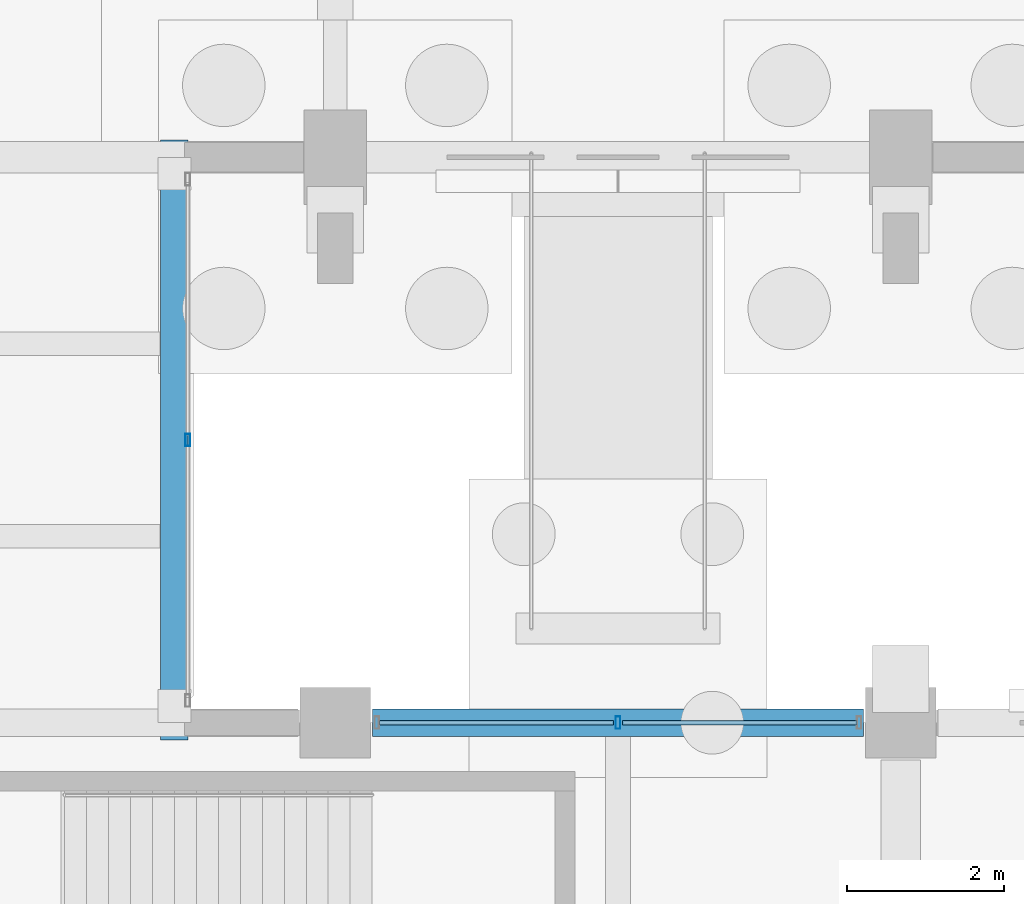
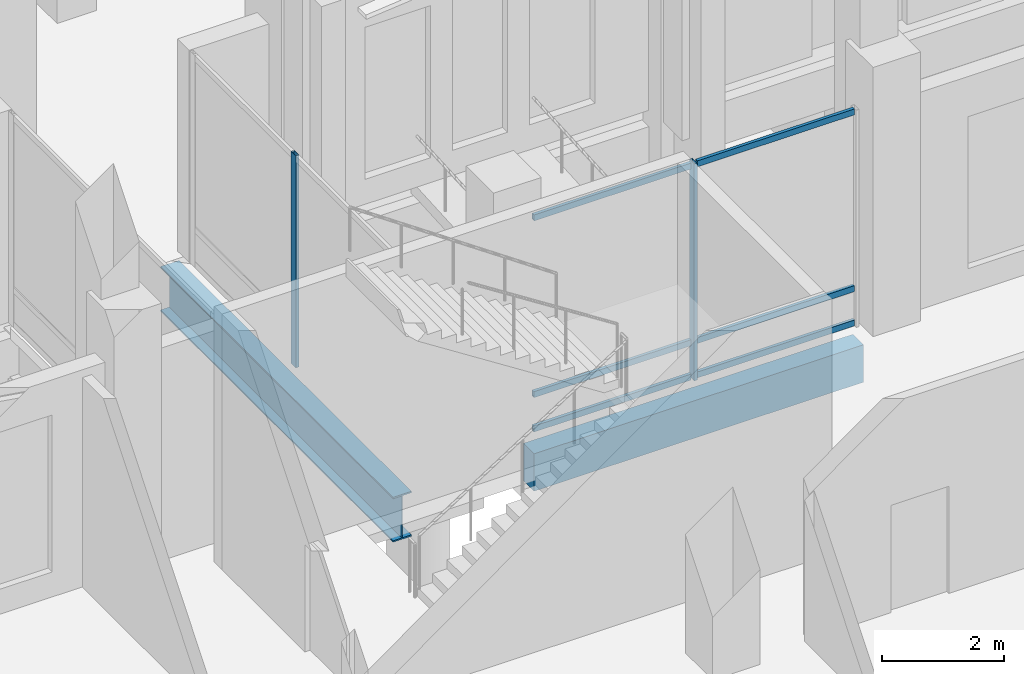
# One storey, part 88 of 192: 8 members, 2 beams, 2 elements without a shape of their own.
"""IFC4 building model written with IfcOpenShell, lengths in metres."""

from ifc_helpers import new_model, si_unit, direction, frame, origin, origin_2d, place, context, subcontext, project, spatial, rectangle, hollow_rectangle, i_section, extrude, material, material_profile, profile_set, type_object, element, aggregate, save


model = new_model("IFC4")

# Units and contexts
model_context = context("Model", 3, precision=1e-05, world=origin(), true_north=direction((0.0, 1.0)))
body_context = subcontext(model_context, "Body", "Model", "MODEL_VIEW")
ifc_project = project(units=[si_unit("LENGTHUNIT", "METRE"), si_unit("AREAUNIT", "SQUARE_METRE"), si_unit("VOLUMEUNIT", "CUBIC_METRE"), si_unit("PLANEANGLEUNIT", "RADIAN"), si_unit("MASSUNIT", "GRAM", prefix="KILO")], contexts=[model_context])

# Site, building, storey
site_placement = place(None, origin())
site = spatial("IfcSite", under=ifc_project, at=site_placement, CompositionType="ELEMENT")
building_placement = place(site_placement, origin())
building = spatial("IfcBuilding", under=site, at=building_placement, Name="Cendralis Lancet Convention Centre", CompositionType="ELEMENT")
storey_placement = place(building_placement, origin())
storey = spatial("IfcBuildingStorey", under=building, at=storey_placement, Name="L00", CompositionType="ELEMENT", Elevation=0.0)

# Curtain wall, member
ifc_material_1 = material(Name="Anodised bronze architectural aluminium", Category="aluminium")
curtain_wall_type_1 = type_object("IfcCurtainWallType", Name="ARC-CW-CL01", PredefinedType="USERDEFINED", material=ifc_material_1)
curtain_wall_1_placement = place(storey_placement, origin())
curtain_wall_1 = element("IfcCurtainWall", 1, at=curtain_wall_1_placement, inside=storey, type_object=curtain_wall_type_1, Name="L00 Curtain Wall CW-CL1 #179", ObjectType="CURTAIN WALL", PredefinedType="USERDEFINED")
ifc_material_profile_1 = material_profile(ifc_material_1, hollow_rectangle(XDim=0.06005859375, YDim=0.159912109375, WallThickness=0.00390625, at=origin_2d()), Name="AL-MULL 60x160x4.0")
ifc_profile_set_1 = profile_set([ifc_material_profile_1], Name="Anodised bronze architectural aluminium")
member_type_1 = type_object("IfcMemberType", Name="ARC-CW-ML01", PredefinedType="MULLION", material=ifc_profile_set_1)
member_1_placement = place(storey_placement, frame((157.199951171875, 36.0, 0.0), z_axis=(0.0, 0.0, 1.0), x_axis=(1.0, 0.0, 0.0)))
member_1 = element("IfcMember", 2, at=member_1_placement, type_object=member_type_1, Name="Mullion CW2-CW-CL1-L00-179-M1", PredefinedType="MULLION", context=body_context, shape_type="SweptSolid", body=[
    extrude(hollow_rectangle(XDim=0.06005859375, YDim=0.159912109375, WallThickness=0.00390625, at=origin_2d()), origin(), (0.0, 0.0, 1.0), 4.35498046875),
])

curtain_wall_type_2 = type_object("IfcCurtainWallType", Name="ARC-CW-BR01", PredefinedType="USERDEFINED", material=ifc_material_1)
curtain_wall_2_placement = place(storey_placement, origin())
curtain_wall_2 = element("IfcCurtainWall", 3, at=curtain_wall_2_placement, inside=storey, type_object=curtain_wall_type_2, Name="L00 Curtain Wall CW-BR1 #212", ObjectType="CURTAIN WALL", PredefinedType="USERDEFINED")
member_2_placement = place(storey_placement, frame((151.719970703125, 39.60009765625, 0.0), z_axis=(0.0, 0.0, 1.0), x_axis=(1.0, 0.0, 0.0)))
member_2 = element("IfcMember", 4, at=member_2_placement, type_object=member_type_1, Name="Mullion CW2-CW-BR1-L00-212-M1", PredefinedType="MULLION", context=body_context, shape_type="SweptSolid", body=[
    extrude(hollow_rectangle(XDim=0.06005859375, YDim=0.159912109375, WallThickness=0.00390625, at=origin_2d()), origin(), (0.0, 0.0, 1.0), 4.25),
])
aggregate(curtain_wall_2, [member_2])

# Member
ifc_material_profile_2 = material_profile(ifc_material_1, hollow_rectangle(XDim=0.06005859375, YDim=0.1201171875, WallThickness=0.00390625, at=origin_2d()), Name="AL-TRAN 60x120x4.0")
ifc_profile_set_2 = profile_set([ifc_material_profile_2], Name="Anodised bronze architectural aluminium")
member_type_2 = type_object("IfcMemberType", Name="ARC-CW-TR01", PredefinedType="USERDEFINED", material=ifc_profile_set_2)
member_3_placement = place(storey_placement, frame((154.159912109375, 36.0, 0.06005859375), z_axis=(1.0, 0.0, 0.0), x_axis=(0.0, 1.0, 0.0)))
member_3 = element("IfcMember", 5, at=member_3_placement, type_object=member_type_2, Name="Transom CW2-CW-CL1-L00-179-T0BOT", ObjectType="TRANSOM", PredefinedType="USERDEFINED", context=body_context, shape_type="SweptSolid", body=[
    extrude(hollow_rectangle(XDim=0.06005859375, YDim=0.1201171875, WallThickness=0.00390625, at=origin_2d()), origin(), (0.0, 0.0, 1.0), 2.97998046875),
])

member_4_placement = place(storey_placement, frame((154.159912109375, 36.0, 0.75), z_axis=(1.0, 0.0, 0.0), x_axis=(0.0, 1.0, 0.0)))
member_4 = element("IfcMember", 6, at=member_4_placement, type_object=member_type_2, Name="Transom CW2-CW-CL1-L00-179-T0MID", ObjectType="TRANSOM", PredefinedType="USERDEFINED", context=body_context, shape_type="SweptSolid", body=[
    extrude(hollow_rectangle(XDim=0.06005859375, YDim=0.1201171875, WallThickness=0.00390625, at=origin_2d()), origin(), (0.0, 0.0, 1.0), 2.97998046875),
])

member_5_placement = place(storey_placement, frame((154.159912109375, 36.0, 4.294921875), z_axis=(1.0, 0.0, 0.0), x_axis=(0.0, 1.0, 0.0)))
member_5 = element("IfcMember", 7, at=member_5_placement, type_object=member_type_2, Name="Transom CW2-CW-CL1-L00-179-T0TOP", ObjectType="TRANSOM", PredefinedType="USERDEFINED", context=body_context, shape_type="SweptSolid", body=[
    extrude(hollow_rectangle(XDim=0.06005859375, YDim=0.1201171875, WallThickness=0.00390625, at=origin_2d()), origin(), (0.0, 0.0, 1.0), 2.97998046875),
])

member_6_placement = place(storey_placement, frame((157.260009765625, 36.0, 0.06005859375), z_axis=(1.0, 0.0, 0.0), x_axis=(0.0, 1.0, 0.0)))
member_6 = element("IfcMember", 8, at=member_6_placement, type_object=member_type_2, Name="Transom CW2-CW-CL1-L00-179-T1BOT", ObjectType="TRANSOM", PredefinedType="USERDEFINED", context=body_context, shape_type="SweptSolid", body=[
    extrude(hollow_rectangle(XDim=0.06005859375, YDim=0.1201171875, WallThickness=0.00390625, at=origin_2d()), origin(), (0.0, 0.0, 1.0), 2.97998046875),
])

member_7_placement = place(storey_placement, frame((157.260009765625, 36.0, 0.75), z_axis=(1.0, 0.0, 0.0), x_axis=(0.0, 1.0, 0.0)))
member_7 = element("IfcMember", 9, at=member_7_placement, type_object=member_type_2, Name="Transom CW2-CW-CL1-L00-179-T1MID", ObjectType="TRANSOM", PredefinedType="USERDEFINED", context=body_context, shape_type="SweptSolid", body=[
    extrude(hollow_rectangle(XDim=0.06005859375, YDim=0.1201171875, WallThickness=0.00390625, at=origin_2d()), origin(), (0.0, 0.0, 1.0), 2.97998046875),
])

member_8_placement = place(storey_placement, frame((157.260009765625, 36.0, 4.294921875), z_axis=(1.0, 0.0, 0.0), x_axis=(0.0, 1.0, 0.0)))
member_8 = element("IfcMember", 10, at=member_8_placement, type_object=member_type_2, Name="Transom CW2-CW-CL1-L00-179-T1TOP", ObjectType="TRANSOM", PredefinedType="USERDEFINED", context=body_context, shape_type="SweptSolid", body=[
    extrude(hollow_rectangle(XDim=0.06005859375, YDim=0.1201171875, WallThickness=0.00390625, at=origin_2d()), origin(), (0.0, 0.0, 1.0), 2.97998046875),
])

aggregate(curtain_wall_1, [member_1, member_3, member_4, member_5, member_6, member_7, member_8])

# Beams
ifc_material_2 = material(Name="Steel S355", Category="steel")
ifc_material_profile_3 = material_profile(ifc_material_2, i_section(OverallWidth=0.35009765625, OverallDepth=0.89990234375, WebThickness=0.01611328125, FlangeThickness=0.028076171875, at=origin_2d()), Name="PG 900x350")
ifc_profile_set_3 = profile_set([ifc_material_profile_3], Name="Steel S355")
beam_type_1 = type_object("IfcBeamType", Name="STR-BM-SG05", PredefinedType="BEAM", material=ifc_profile_set_3)
beam_1_placement = place(storey_placement, frame((151.550048828125, 35.780029296875, -0.669921875), z_axis=(0.0, 1.0, 0.0), x_axis=(-1.0, 0.0, 0.0)))
element("IfcBeam", 11, at=beam_1_placement, inside=storey, type_object=beam_type_1, Name="L00 Beam SG05 #1929", PredefinedType="BEAM", context=body_context, shape_type="SweptSolid", body=[
    extrude(i_section(OverallWidth=0.35009765625, OverallDepth=0.89990234375, WebThickness=0.01611328125, FlangeThickness=0.028076171875, at=origin_2d()), origin(), (0.0, 0.0, 1.0), 7.639892578125),
])
ifc_material_3 = material(Name="Concrete G40 (C40/50)", Category="concrete")
ifc_material_profile_4 = material_profile(ifc_material_3, rectangle(XDim=0.35009765625, YDim=0.75, at=origin_2d()), Name="RCB 350x750")
ifc_profile_set_4 = profile_set([ifc_material_profile_4], Name="Concrete G40 (C40/50)")
beam_type_2 = type_object("IfcBeamType", Name="STR-SP-SP01", PredefinedType="SPANDREL", material=ifc_profile_set_4)
beam_2_placement = place(storey_placement, frame((154.074951171875, 36.0, -0.695068359375), z_axis=(1.0, 0.0, 0.0), x_axis=(0.0, 1.0, 0.0)))
element("IfcBeam", 12, at=beam_2_placement, inside=storey, type_object=beam_type_2, Name="L00 Beam SP01 #0044", PredefinedType="SPANDREL", context=body_context, shape_type="SweptSolid", body=[
    extrude(rectangle(XDim=0.35009765625, YDim=0.75, at=origin_2d()), origin(), (0.0, 0.0, 1.0), 6.25),
])

save(model, "model.ifc")
